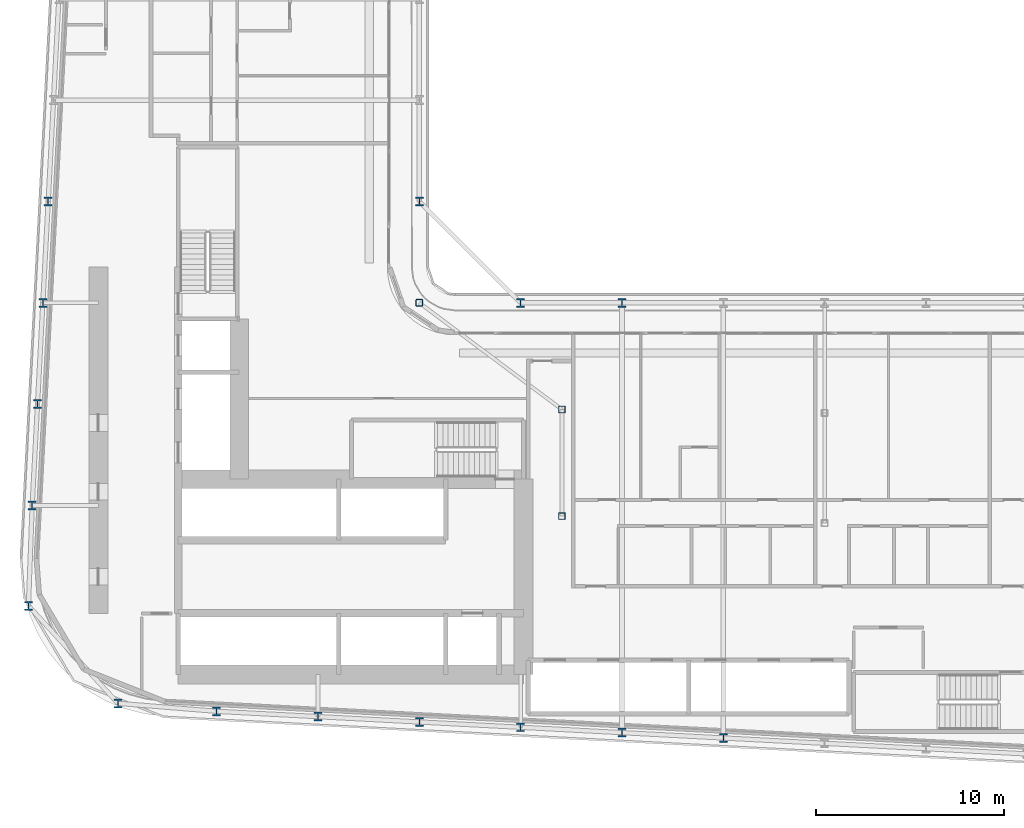
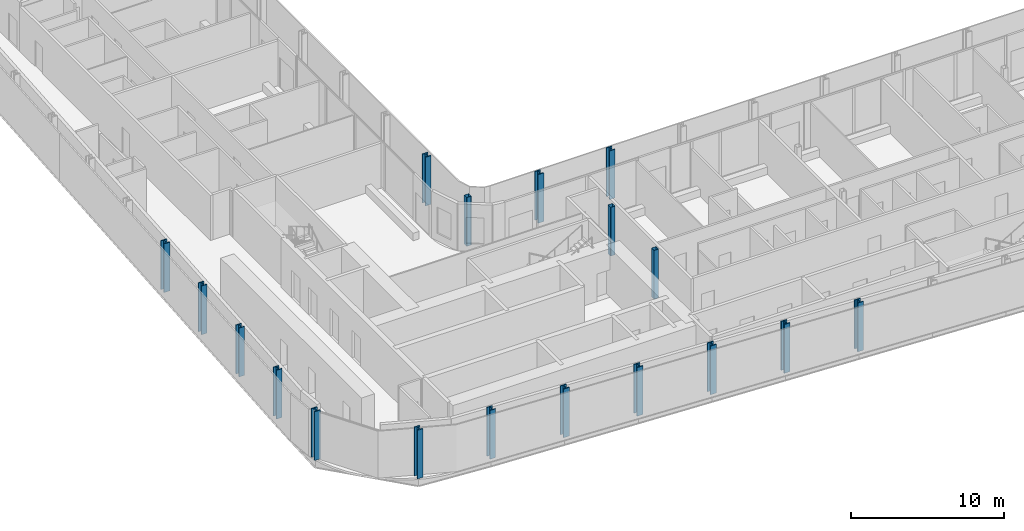
# One storey, part 1 of 27: 18 columns.
"""IFC4 building model written with IfcOpenShell, lengths in metres."""

from ifc_helpers import new_model, si_unit, direction, frame, origin, origin_2d, place, context, subcontext, project, spatial, hollow_rectangle, i_section, extrude, material, material_profile, profile_set, type_object, element, save


model = new_model("IFC4")

# Units and contexts
model_context = context("Model", 3, precision=1e-05, world=origin(), true_north=direction((0.0, 1.0)))
body_context = subcontext(model_context, "Body", "Model", "MODEL_VIEW")
ifc_project = project(units=[si_unit("LENGTHUNIT", "METRE"), si_unit("AREAUNIT", "SQUARE_METRE"), si_unit("VOLUMEUNIT", "CUBIC_METRE"), si_unit("PLANEANGLEUNIT", "RADIAN"), si_unit("MASSUNIT", "GRAM", prefix="KILO")], contexts=[model_context])

# Site, building, storey
site_placement = place(None, origin())
site = spatial("IfcSite", under=ifc_project, at=site_placement, CompositionType="ELEMENT")
building_placement = place(site_placement, origin())
building = spatial("IfcBuilding", under=site, at=building_placement, Name="Kheshtan School and Residences Tower", CompositionType="ELEMENT")
storey_placement = place(building_placement, frame((0.0, 0.0, 57.800048828125)))
storey = spatial("IfcBuildingStorey", under=building, at=storey_placement, Name="L13", CompositionType="ELEMENT", Elevation=57.800048828125)

# Columns
ifc_material_1 = material(Name="Steel ASTM A992 Grade 50", Category="steel")
ifc_material_profile_1 = material_profile(ifc_material_1, i_section(OverallWidth=0.424072265625, OverallDepth=0.47412109375, WebThickness=0.047607421875, FlangeThickness=0.0771484375, FilletRadius=0.01416015625, at=origin_2d()), Name="W360x634")
ifc_profile_set_1 = profile_set([ifc_material_profile_1], Name="Steel ASTM A992 Grade 50")
column_type_1 = type_object("IfcColumnType", Name="Column C1 W360x634 ASTM A992 Grade 50", PredefinedType="COLUMN", material=ifc_profile_set_1)
for number, where, z_axis, x_axis, name in (
    (1, (63.800048828125, 22.410888671875, 0.0), (0.0, 0.0, 1.0), (1.0, 0.0, 0.0), "Column C016"),
    (2, (58.39990234375, 22.695068359375, 0.0), (0.0, 0.0, 1.0), (1.0, 0.0, 0.0), "Column C018"),
    (3, (53.0, 22.97998046875, 0.0), (0.0, 0.0, 1.0), (1.0, 0.0, 0.0), "Column C019"),
    (4, (47.60009765625, 23.263916015625, 0.0), (0.0, 0.0, 1.0), (1.0, 0.0, 0.0), "Column C020"),
    (5, (42.199951171875, 23.548095703125, 0.0), (0.0, 0.0, 1.0), (1.0, 0.0, 0.0), "Column C021"),
    (6, (36.800048828125, 23.83203125, 0.0), (0.0, 0.0, 1.0), (1.0, 0.0, 0.0), "Column C022"),
    (7, (31.5419921875, 24.257080078125, 0.0), (0.0, 0.0, 1.0), (1.0, 0.0, 0.0), "Column C025"),
    (8, (26.76904296875, 29.4541015625, 0.0), (0.0, 0.0, 1.0), (1.0, 0.0, 0.0), "Column C038"),
    (9, (26.968994140625, 34.800048828125, 0.0), (0.0, 0.0, 1.0), (1.0, 0.0, 0.0), "Column C052"),
    (10, (27.2529296875, 40.199951171875, 0.0), (0.0, 0.0, 1.0), (1.0, 0.0, 0.0), "Column C056"),
    (11, (27.537109375, 45.60009765625, 0.0), (0.0, 0.0, 1.0), (1.0, 0.0, 0.0), "Column C059"),
    (12, (53.0, 45.60009765625, 0.0), (0.0, 0.0, 1.0), (1.0, 0.0, 0.0), "Column C061"),
    (13, (58.39990234375, 45.60009765625, 0.0), (0.0, 0.0, 1.0), (1.0, 0.0, 0.0), "Column C062"),
    (14, (27.822021484375, 51.0, 0.0), (0.0, 0.0, 1.0), (1.0, 0.0, 0.0), "Column C078"),
    (15, (47.60009765625, 51.0, 0.0), (0.0, 0.0, 1.0), (1.0, 0.0, 0.0), "Column C079"),
):
    element("IfcColumn", number, at=place(storey_placement, frame(where, z_axis=z_axis, x_axis=x_axis)), inside=storey, type_object=column_type_1, Name=name, PredefinedType="COLUMN", context=body_context, shape_type="SweptSolid", body=[
        extrude(i_section(OverallWidth=0.424072265625, OverallDepth=0.47412109375, WebThickness=0.047607421875, FlangeThickness=0.0771484375, FilletRadius=0.01416015625, at=origin_2d()), origin(), (0.0, 0.0, 1.0), 3.89990234375),
    ])
ifc_material_2 = material(Name="Steel ASTM A500 Grade C", Category="steel")
ifc_material_profile_2 = material_profile(ifc_material_2, hollow_rectangle(XDim=0.35595703125, YDim=0.35595703125, WallThickness=0.015869140625, InnerFilletRadius=0.015869140625, OuterFilletRadius=0.03173828125, at=origin_2d()), Name="HSS 356x356x15.9")
ifc_profile_set_2 = profile_set([ifc_material_profile_2], Name="Steel ASTM A500 Grade C")
column_type_2 = type_object("IfcColumnType", Name="Column IC1 HSS 356x356x15.9 ASTM A500 Grade C", PredefinedType="COLUMN", material=ifc_profile_set_2)
for number, where, z_axis, x_axis, name in (
    (16, (55.199951171875, 34.23193359375, 0.0), (0.0, 0.0, 1.0), (1.0, 0.0, 0.0), "Column C051"),
    (17, (55.199951171875, 39.916015625, 0.0), (0.0, 0.0, 1.0), (1.0, 0.0, 0.0), "Column C055"),
    (18, (47.60009765625, 45.60009765625, 0.0), (0.0, 0.0, 1.0), (1.0, 0.0, 0.0), "Column C060"),
):
    element("IfcColumn", number, at=place(storey_placement, frame(where, z_axis=z_axis, x_axis=x_axis)), inside=storey, type_object=column_type_2, Name=name, PredefinedType="COLUMN", context=body_context, shape_type="SweptSolid", body=[
        extrude(hollow_rectangle(XDim=0.35595703125, YDim=0.35595703125, WallThickness=0.015869140625, InnerFilletRadius=0.015869140625, OuterFilletRadius=0.03173828125, at=origin_2d()), origin(), (0.0, 0.0, 1.0), 3.89990234375),
    ])

save(model, "model.ifc")
